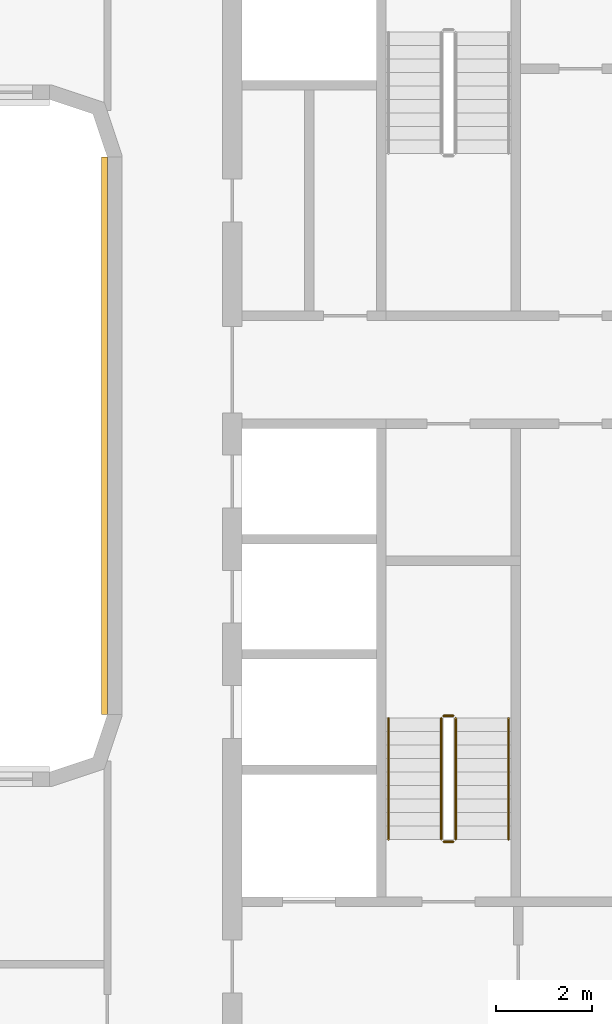
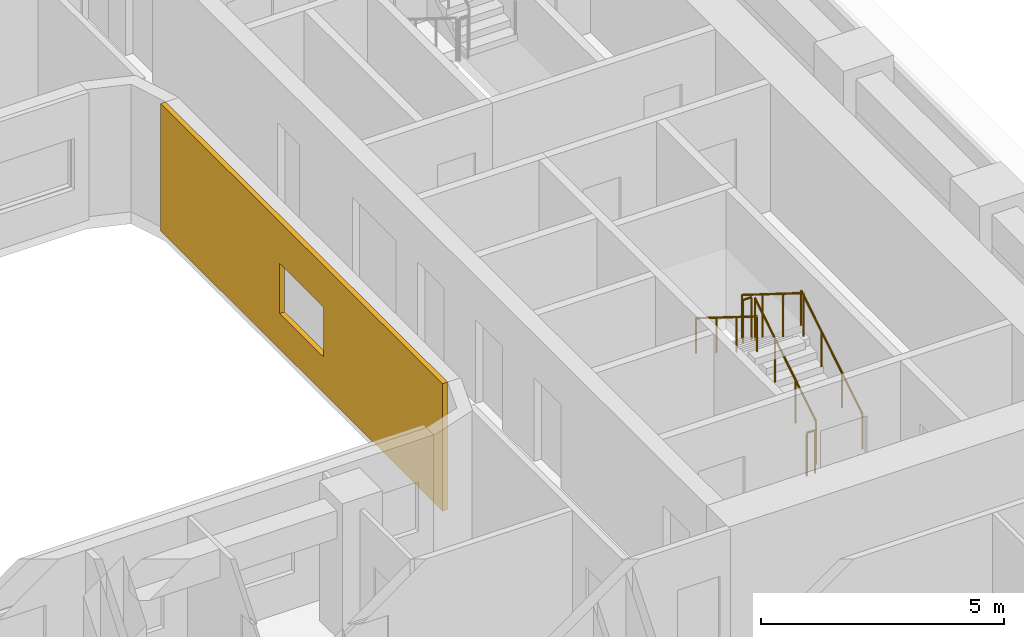
# One storey, part 18 of 23: 6 railings, 1 covering.
"""IFC4 building model written with IfcOpenShell, lengths in metres."""

from ifc_helpers import new_model, si_unit, direction, frame, origin, origin_2d, place, context, subcontext, project, spatial, polyline, circle, outline, extrude, material, layer, layer_set, type_object, element, save


model = new_model("IFC4")

# Units and contexts
model_context = context("Model", 3, precision=1e-05, world=origin(), true_north=direction((0.0, 1.0)))
body_context = subcontext(model_context, "Body", "Model", "MODEL_VIEW")
ifc_project = project(units=[si_unit("LENGTHUNIT", "METRE"), si_unit("AREAUNIT", "SQUARE_METRE"), si_unit("VOLUMEUNIT", "CUBIC_METRE"), si_unit("PLANEANGLEUNIT", "RADIAN"), si_unit("MASSUNIT", "GRAM", prefix="KILO")], contexts=[model_context])

# Site, building, storey
site_placement = place(None, origin())
site = spatial("IfcSite", under=ifc_project, at=site_placement, CompositionType="ELEMENT")
building_placement = place(site_placement, origin())
building = spatial("IfcBuilding", under=site, at=building_placement, Name="Kiln Ring Residences", CompositionType="ELEMENT")
storey_placement = place(building_placement, frame((0.0, 0.0, 107.800048828125)))
storey = spatial("IfcBuildingStorey", under=building, at=storey_placement, Name="L27", CompositionType="ELEMENT", Elevation=107.800048828125)

# Railings
ifc_material_1 = material(Name="Stainless steel", Category="steel")
railing_type_1 = type_object("IfcRailingType", Name="CORE-STAIR-GUARD", PredefinedType="GUARDRAIL", material=ifc_material_1)
railing_1_placement = place(storey_placement, frame((22.25, -8.39990234375, 0.175048828125)))
element("IfcRailing", 1, at=railing_1_placement, inside=storey, type_object=railing_type_1, Name="L27 E-STS stair guard 1", PredefinedType="GUARDRAIL", context=body_context, shape_type="SweptSolid", body=[
    extrude(circle(Radius=0.02392578125, at=origin_2d()), frame((0.0, 0.0, 1.076171875), z_axis=(0.0, 0.848007534815, 0.529984170421), x_axis=(-1.0, 0.0, 0.0)), (0.0, 0.0, 1.0), 2.9716796875),
    extrude(circle(Radius=0.02099609375, at=origin_2d()), origin(), (0.0, 0.0, 1.0), 1.052001953125),
    extrude(circle(Radius=0.02099609375, at=origin_2d()), frame((0.0, 0.840087890625, 0.52490234375)), (0.0, 0.0, 1.0), 1.052001953125),
    extrude(circle(Radius=0.02099609375, at=origin_2d()), frame((0.0, 1.679931640625, 1.050048828125)), (0.0, 0.0, 1.0), 1.052001953125),
    extrude(circle(Radius=0.02099609375, at=origin_2d()), frame((0.0, 2.52001953125, 1.574951171875)), (0.0, 0.0, 1.0), 1.052001953125),
])
railing_2_placement = place(storey_placement, frame((22.199951171875, -5.830078125, 1.75)))
element("IfcRailing", 2, at=railing_2_placement, inside=storey, type_object=railing_type_1, Name="L27 E-STS stair guard 2", PredefinedType="GUARDRAIL", context=body_context, shape_type="SweptSolid", body=[
    extrude(circle(Radius=0.02392578125, at=origin_2d()), frame((0.0, 0.0, 1.076171875), z_axis=(-1.0, 0.0, 0.0), x_axis=(0.0, -1.0, 0.0)), (0.0, 0.0, 1.0), 0.199951171875),
    extrude(circle(Radius=0.02099609375, at=origin_2d()), origin(), (0.0, 0.0, 1.0), 1.052001953125),
    extrude(circle(Radius=0.02099609375, at=origin_2d()), frame((-0.199951171875, 0.0, 0.0)), (0.0, 0.0, 1.0), 1.052001953125),
])
railing_3_placement = place(storey_placement, frame((21.949951171875, -5.8798828125, 1.925048828125)))
element("IfcRailing", 3, at=railing_3_placement, inside=storey, type_object=railing_type_1, Name="L27 E-STS stair guard 3", PredefinedType="GUARDRAIL", context=body_context, shape_type="SweptSolid", body=[
    extrude(circle(Radius=0.02392578125, at=origin_2d()), frame((0.0, 0.0, 1.076171875), z_axis=(0.0, -0.848007534815, 0.529984170421), x_axis=(1.0, 0.0, 0.0)), (0.0, 0.0, 1.0), 2.9716796875),
    extrude(circle(Radius=0.02099609375, at=origin_2d()), origin(), (0.0, 0.0, 1.0), 1.052001953125),
    extrude(circle(Radius=0.02099609375, at=origin_2d()), frame((0.0, -0.840087890625, 0.52490234375)), (0.0, 0.0, 1.0), 1.052001953125),
    extrude(circle(Radius=0.02099609375, at=origin_2d()), frame((0.0, -1.679931640625, 1.050048828125)), (0.0, 0.0, 1.0), 1.052001953125),
    extrude(circle(Radius=0.02099609375, at=origin_2d()), frame((0.0, -2.52001953125, 1.574951171875)), (0.0, 0.0, 1.0), 1.052001953125),
])
railing_4_placement = place(storey_placement, frame((22.199951171875, -8.449951171875, 0.0)))
element("IfcRailing", 4, at=railing_4_placement, inside=storey, type_object=railing_type_1, Name="L27 E-STS stair guard 4", PredefinedType="GUARDRAIL", context=body_context, shape_type="SweptSolid", body=[
    extrude(circle(Radius=0.02392578125, at=origin_2d()), frame((0.0, 0.0, 1.076171875), z_axis=(-1.0, 0.0, 0.0), x_axis=(0.0, -1.0, 0.0)), (0.0, 0.0, 1.0), 0.199951171875),
    extrude(circle(Radius=0.02099609375, at=origin_2d()), origin(), (0.0, 0.0, 1.0), 1.052001953125),
    extrude(circle(Radius=0.02099609375, at=origin_2d()), frame((-0.199951171875, 0.0, 0.0)), (0.0, 0.0, 1.0), 1.052001953125),
])
ifc_material_2 = material(Name="Stainless steel", Category="steel")
railing_type_2 = type_object("IfcRailingType", Name="CORE-STAIR-HANDRAIL", PredefinedType="HANDRAIL", material=ifc_material_2)
railing_5_placement = place(storey_placement, frame((23.35009765625, -8.39990234375, 0.175048828125)))
element("IfcRailing", 5, at=railing_5_placement, inside=storey, type_object=railing_type_2, Name="L27 E-STS stair handrail 1", PredefinedType="HANDRAIL", context=body_context, shape_type="SweptSolid", body=[
    extrude(circle(Radius=0.02392578125, at=origin_2d()), frame((0.0, 0.0, 0.8759765625), z_axis=(0.0, 0.848007534815, 0.529984170421), x_axis=(-1.0, 0.0, 0.0)), (0.0, 0.0, 1.0), 2.9716796875),
    extrude(circle(Radius=0.02099609375, at=origin_2d()), origin(), (0.0, 0.0, 1.0), 0.851806640625),
    extrude(circle(Radius=0.02099609375, at=origin_2d()), frame((0.0, 0.840087890625, 0.52490234375)), (0.0, 0.0, 1.0), 0.851806640625),
    extrude(circle(Radius=0.02099609375, at=origin_2d()), frame((0.0, 1.679931640625, 1.050048828125)), (0.0, 0.0, 1.0), 0.851806640625),
    extrude(circle(Radius=0.02099609375, at=origin_2d()), frame((0.0, 2.52001953125, 1.574951171875)), (0.0, 0.0, 1.0), 0.851806640625),
])
railing_6_placement = place(storey_placement, frame((20.85009765625, -5.8798828125, 1.925048828125)))
element("IfcRailing", 6, at=railing_6_placement, inside=storey, type_object=railing_type_2, Name="L27 E-STS stair handrail 2", PredefinedType="HANDRAIL", context=body_context, shape_type="SweptSolid", body=[
    extrude(circle(Radius=0.02392578125, at=origin_2d()), frame((0.0, 0.0, 0.8759765625), z_axis=(0.0, -0.848007534815, 0.529984170421), x_axis=(1.0, 0.0, 0.0)), (0.0, 0.0, 1.0), 2.9716796875),
    extrude(circle(Radius=0.02099609375, at=origin_2d()), origin(), (0.0, 0.0, 1.0), 0.851806640625),
    extrude(circle(Radius=0.02099609375, at=origin_2d()), frame((0.0, -0.840087890625, 0.52490234375)), (0.0, 0.0, 1.0), 0.851806640625),
    extrude(circle(Radius=0.02099609375, at=origin_2d()), frame((0.0, -1.679931640625, 1.050048828125)), (0.0, 0.0, 1.0), 0.851806640625),
    extrude(circle(Radius=0.02099609375, at=origin_2d()), frame((0.0, -2.52001953125, 1.574951171875)), (0.0, 0.0, 1.0), 0.851806640625),
])

# Covering
ifc_material_3 = material(Name="Brick masonry, dark clay brick", Category="masonry")
ifc_layer = layer(ifc_material_3, 0.1201171875)
ifc_layer_set = layer_set([ifc_layer], Name="RAINSCREEN PANEL 120")
covering_type = type_object("IfcCoveringType", Name="RAINSCREEN PANEL 120", PredefinedType="CLADDING", material=ifc_layer_set)
covering_placement = place(storey_placement, frame((14.93994140625, 5.800048828125, 0.0), z_axis=(0.0, 0.0, 1.0), x_axis=(0.0, -1.0, 0.0)))
element("IfcCovering", 7, at=covering_placement, inside=storey, type_object=covering_type, Name="RAINSCREEN L27", PredefinedType="CLADDING", context=body_context, shape_type="SweptSolid", body=[
    extrude(outline(polyline([(0.0, 0.0), (11.60009765625, 0.0), (11.60009765625, 3.199951171875), (0.0, 3.199951171875), (0.0, 0.0)]), holes=[polyline([(4.89990234375, 2.14990234375), (4.89990234375, 0.89990234375), (6.699951171875, 0.89990234375), (6.699951171875, 2.14990234375), (4.89990234375, 2.14990234375)])]), frame((0.0, 0.06005859375, 0.0), z_axis=(0.0, -1.0, 0.0), x_axis=(1.0, 0.0, 0.0)), (0.0, 0.0, 1.0), 0.1201171875),
])

save(model, "model.ifc")
